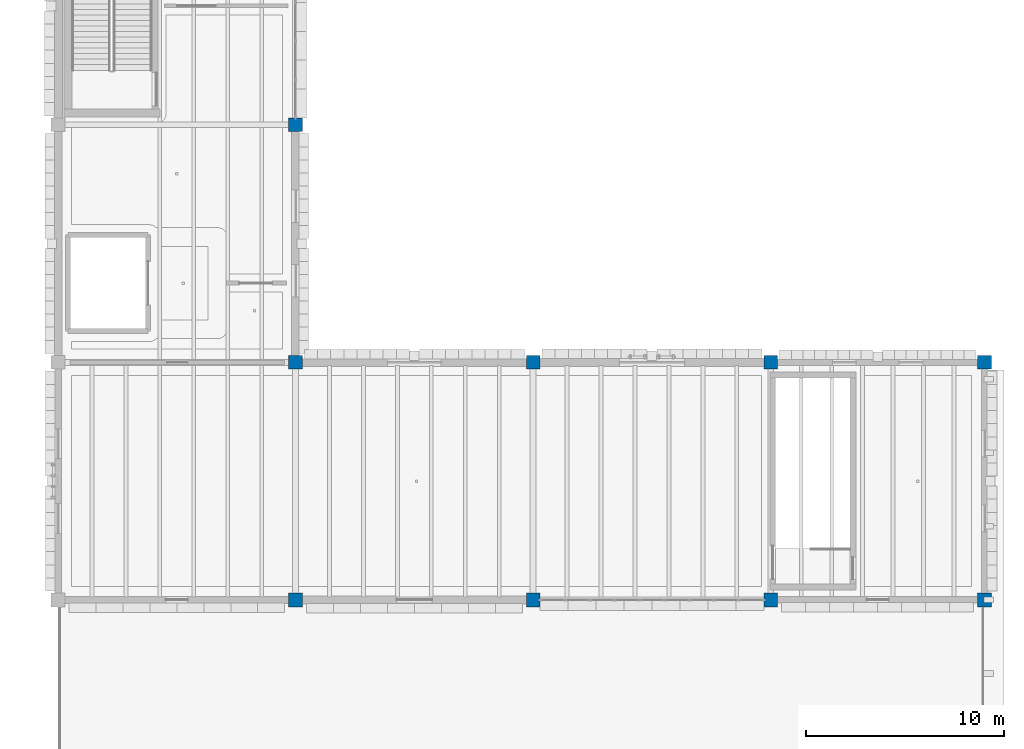
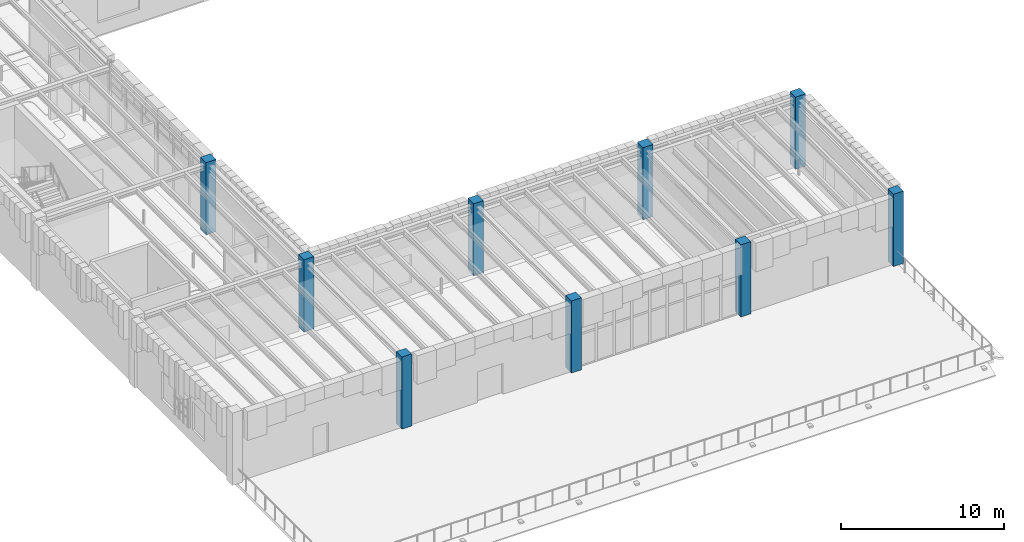
# One storey, part 12 of 100: 9 columns.
"""IFC4 building model written with IfcOpenShell, lengths in metres."""

from ifc_helpers import new_model, si_unit, direction, frame, origin, origin_2d, place, context, subcontext, project, spatial, rectangle, extrude, material, material_profile, profile_set, type_object, element, save


model = new_model("IFC4")

# Units and contexts
model_context = context("Model", 3, precision=1e-05, world=origin(), true_north=direction((0.0, 1.0)))
body_context = subcontext(model_context, "Body", "Model", "MODEL_VIEW")
ifc_project = project(units=[si_unit("LENGTHUNIT", "METRE"), si_unit("AREAUNIT", "SQUARE_METRE"), si_unit("VOLUMEUNIT", "CUBIC_METRE"), si_unit("PLANEANGLEUNIT", "RADIAN"), si_unit("MASSUNIT", "GRAM", prefix="KILO")], contexts=[model_context])

# Site, building, storey
site_placement = place(None, origin())
site = spatial("IfcSite", under=ifc_project, at=site_placement, CompositionType="ELEMENT")
building_placement = place(site_placement, origin())
building = spatial("IfcBuilding", under=site, at=building_placement, Name="Zlatogorsky Bluff Art Gallery", CompositionType="ELEMENT")
storey_placement = place(building_placement, frame((0.0, 0.0, 5.39990234375)))
storey = spatial("IfcBuildingStorey", under=building, at=storey_placement, Name="L01", CompositionType="ELEMENT", Elevation=5.39990234375)

# Columns
ifc_material = material(Name="Concrete C35/45", Category="concrete")
ifc_material_profile = material_profile(ifc_material, rectangle(XDim=0.699951171875, YDim=0.699951171875, at=origin_2d()), Name="RC 700x700")
ifc_profile_set = profile_set([ifc_material_profile], Name="Concrete C35/45")
column_type = type_object("IfcColumnType", Name="Column CL-13 RC 700x700", PredefinedType="COLUMN", material=ifc_profile_set)
for number, where, z_axis, x_axis, name in (
    (1, (132.0, 38.39990234375, 0.0), (0.0, 0.0, 1.0), (1.0, 0.0, 0.0), "Column CL-13 L01 M5"),
    (2, (132.0, 50.39990234375, 0.0), (0.0, 0.0, 1.0), (1.0, 0.0, 0.0), "Column CL-13 L01 M6"),
    (3, (132.0, 62.39990234375, 0.0), (0.0, 0.0, 1.0), (1.0, 0.0, 0.0), "Column CL-13 L01 M7"),
    (4, (144.0, 38.39990234375, 0.0), (0.0, 0.0, 1.0), (1.0, 0.0, 0.0), "Column CL-13 L01 N5"),
    (5, (144.0, 50.39990234375, 0.0), (0.0, 0.0, 1.0), (1.0, 0.0, 0.0), "Column CL-13 L01 N6"),
    (6, (156.0, 38.39990234375, 0.0), (0.0, 0.0, 1.0), (1.0, 0.0, 0.0), "Column CL-13 L01 P5"),
    (7, (156.0, 50.39990234375, 0.0), (0.0, 0.0, 1.0), (1.0, 0.0, 0.0), "Column CL-13 L01 P6"),
    (8, (166.800048828125, 38.39990234375, 0.0), (0.0, 0.0, 1.0), (1.0, 0.0, 0.0), "Column CL-13 L01 Q5"),
    (9, (166.800048828125, 50.39990234375, 0.0), (0.0, 0.0, 1.0), (1.0, 0.0, 0.0), "Column CL-13 L01 Q6"),
):
    element("IfcColumn", number, at=place(storey_placement, frame(where, z_axis=z_axis, x_axis=x_axis)), inside=storey, type_object=column_type, Name=name, PredefinedType="COLUMN", context=body_context, shape_type="SweptSolid", body=[
        extrude(rectangle(XDim=0.699951171875, YDim=0.699951171875, at=origin_2d()), origin(), (0.0, 0.0, 1.0), 5.400146484375),
    ])

save(model, "model.ifc")
